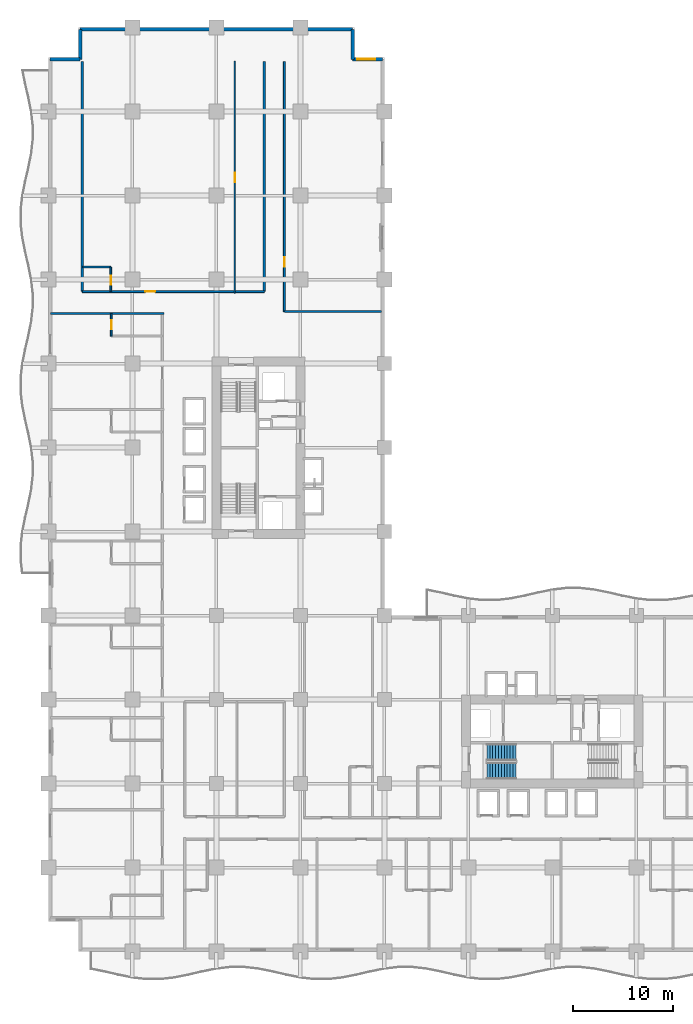
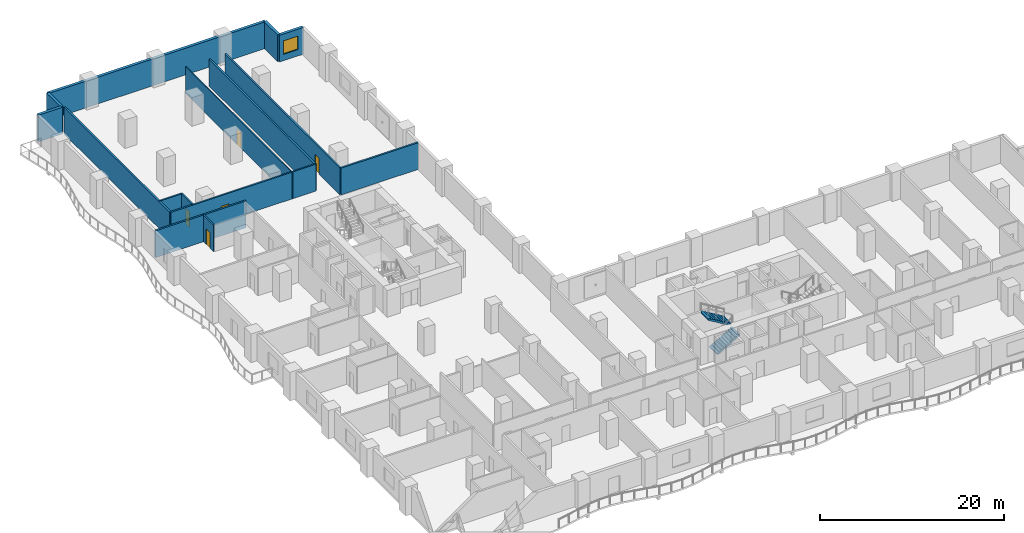
# One storey, part 13 of 22: 15 walls, 5 doors, 2 stair flights, 1 window, 6 openings, 1 element without a shape of its own.
"""IFC4 building model written with IfcOpenShell, lengths in metres."""

import ifcopenshell
import ifcopenshell.guid

model = None  # the IFC model being written
_history = None  # IfcOwnerHistory: only IFC2X3 demands one
_inside = {}  # id of a spatial element -> (the spatial element, [elements in it])
_under = {}  # id of a project, library or spatial element -> (it, [spatial elements below it])
_declared = {}  # id of a project -> (the project, [libraries it declares])
_typed = {}  # id of a type object -> (the type object, [elements of that type])
_made_of = {}  # id of a material, layer set ... -> (it, [elements and type objects made of it])


def new_model(schema):
    """Start an empty IFC model of exactly this schema.

    Asked for "IFC4X3", IfcOpenShell would pick the latest addendum, in which some entities
    have other attributes; the version numbers below select the first issue.
    IFC2X3 requires an IfcOwnerHistory on every rooted entity: one is made here for all.
    """
    global model, _history
    if schema == "IFC4X3":
        model = ifcopenshell.file(schema_version=(4, 3, 0, 0))
    else:
        model = ifcopenshell.file(schema=schema)
    _inside.clear()
    _under.clear()
    _declared.clear()
    _typed.clear()
    _made_of.clear()
    _history = None
    if model.schema == "IFC2X3":
        org = make("IfcOrganization", Name="unknown")
        user = make(
            "IfcPersonAndOrganization",
            ThePerson=make("IfcPerson", FamilyName="unknown"),
            TheOrganization=org,
        )
        app = make(
            "IfcApplication",
            ApplicationDeveloper=org,
            Version="unknown",
            ApplicationFullName="unknown",
            ApplicationIdentifier="unknown",
        )
        _history = make(
            "IfcOwnerHistory",
            OwningUser=user,
            OwningApplication=app,
            ChangeAction="ADDED",
            CreationDate=0,
        )
    return model


def make(cls, **values):
    """One entity of the class cls with the attributes given. An attribute that is None is left unset."""
    return model.create_entity(
        cls, **{name: value for name, value in values.items() if value is not None}
    )


def rooted(cls, **values):
    """An entity with a GlobalId (a new one), such as an element, a storey or a relation."""
    return make(cls, GlobalId=ifcopenshell.guid.new(), OwnerHistory=_history, **values)


def si_unit(unit_type, name, prefix=None):
    """IfcSIUnit, for example si_unit("LENGTHUNIT", "METRE", prefix="MILLI")."""
    return make("IfcSIUnit", UnitType=unit_type, Prefix=prefix, Name=name)


def assignment(units):
    """IfcUnitAssignment: the units of a project."""
    return None if units is None else make("IfcUnitAssignment", Units=units)


def point(xyz):
    """IfcCartesianPoint."""
    return None if xyz is None else make("IfcCartesianPoint", Coordinates=xyz)


def direction(xyz):
    """IfcDirection."""
    return None if xyz is None else make("IfcDirection", DirectionRatios=xyz)


def frame(location, z_axis=None, x_axis=None):
    """IfcAxis2Placement3D, a coordinate frame: its origin and axes. An axis left out is left unset."""
    return make(
        "IfcAxis2Placement3D",
        Location=point(location),
        Axis=direction(z_axis),
        RefDirection=direction(x_axis),
    )


def frame_2d(location, x_axis=None):
    """IfcAxis2Placement2D, a coordinate frame in the plane: its origin and x axis."""
    return make(
        "IfcAxis2Placement2D", Location=point(location), RefDirection=direction(x_axis)
    )


def origin():
    """The frame at (0, 0, 0) with its axes left unset."""
    return frame((0.0, 0.0, 0.0))


def place(relative_to, where):
    """IfcLocalPlacement: puts the frame where relative to a parent placement (None: the world)."""
    return make(
        "IfcLocalPlacement", PlacementRelTo=relative_to, RelativePlacement=where
    )


def context(
    kind, dimensions, precision=None, world=None, true_north=None, identifier=None
):
    """IfcGeometricRepresentationContext, for example the 3D "Model" context."""
    return make(
        "IfcGeometricRepresentationContext",
        ContextIdentifier=identifier,
        ContextType=kind,
        CoordinateSpaceDimension=dimensions,
        Precision=precision,
        WorldCoordinateSystem=world,
        TrueNorth=true_north,
    )


def subcontext(parent, identifier, kind, view, scale=None):
    """IfcGeometricRepresentationSubContext, for example "Body" below "Model"."""
    return make(
        "IfcGeometricRepresentationSubContext",
        ContextIdentifier=identifier,
        ContextType=kind,
        ParentContext=parent,
        TargetScale=scale,
        TargetView=view,
    )


def project(units=None, contexts=None):
    """IfcProject with its units and contexts."""
    return rooted(
        "IfcProject",
        Name="project",
        RepresentationContexts=contexts,
        UnitsInContext=assignment(units),
    )


def spatial(cls, under=None, at=None, **own):
    """A site, building, storey or space (cls), placed at a placement, below another one or the project."""
    s = rooted(cls, ObjectPlacement=at, **own)
    if under is not None:
        _under.setdefault(under.id(), (under, []))[1].append(s)
    return s


def polyline(points):
    """IfcPolyline through the points."""
    return make("IfcPolyline", Points=[point(p) for p in points])


def profile(cls, at=None, kind="AREA", **sizes):
    """A parametric profile (cls). Its sizes go by their IFC names, for example OverallWidth=200.0."""
    return make(cls, ProfileType=kind, Position=at, **sizes)


def rectangle(**sizes):
    """IfcRectangleProfileDef."""
    return profile("IfcRectangleProfileDef", **sizes)


def outline(outer, holes=None, kind="AREA"):
    """IfcArbitraryClosedProfileDef: a profile drawn as a closed curve; with holes, ...WithVoids."""
    if holes is None:
        return make("IfcArbitraryClosedProfileDef", ProfileType=kind, OuterCurve=outer)
    return make(
        "IfcArbitraryProfileDefWithVoids",
        ProfileType=kind,
        OuterCurve=outer,
        InnerCurves=holes,
    )


def extrude(swept, where, along, depth):
    """IfcExtrudedAreaSolid: the profile swept, set in the frame where, extruded along a direction by depth."""
    return make(
        "IfcExtrudedAreaSolid",
        SweptArea=swept,
        Position=where,
        ExtrudedDirection=direction(along),
        Depth=depth,
    )


def shape(context_of_items, identifier, shape_type, items):
    """IfcShapeRepresentation: the items that make up one representation, for example the "Body"."""
    return make(
        "IfcShapeRepresentation",
        ContextOfItems=context_of_items,
        RepresentationIdentifier=identifier,
        RepresentationType=shape_type,
        Items=items,
    )


def material(Name=None, Category=None):
    """IfcMaterial."""
    return make("IfcMaterial", Name=Name, Category=Category)


def layer(
    of_material, thickness, ventilated=None, Name=None, Category=None, Priority=None
):
    """IfcMaterialLayer: one layer of a wall or slab, of a material (None: an air gap)."""
    return make(
        "IfcMaterialLayer",
        Material=of_material,
        LayerThickness=thickness,
        IsVentilated=ventilated,
        Name=Name,
        Category=Category,
        Priority=Priority,
    )


def layer_set(layers, Name=None):
    """IfcMaterialLayerSet."""
    return make("IfcMaterialLayerSet", MaterialLayers=layers, LayerSetName=Name)


def made_of(thing, what):
    """Note that an element or type object is made of a material, layer set ...; save() writes the relation."""
    if what is not None:
        _made_of.setdefault(what.id(), (what, []))[1].append(thing)
    return thing


def type_object(cls, material=None, **own):
    """A type object (cls), such as IfcWallType, which elements share."""
    return made_of(rooted(cls, **own), material)


def element(
    cls,
    number,
    at=None,
    inside=None,
    cuts=None,
    type_object=None,
    material=None,
    context=None,
    identifier="Body",
    shape_type=None,
    held_by="IfcProductDefinitionShape",
    body=None,
    shapes=None,
    **own,
):
    """One element of the class cls, such as IfcWall. Its Tag is "e" and its number.

    at: its placement. inside: the storey or other place that contains it. cuts: it is an
    opening in that element (IfcRelVoidsElement). A single representation is given by context,
    identifier, shape_type and body (its items); several are given by shapes. held_by: the class
    of the entity that holds the representations. save() writes the other relations.
    """
    e = rooted(cls, Tag="e%d" % number, ObjectPlacement=at, **own)
    if body is not None:
        shapes = [shape(context, identifier, shape_type, body)]
    if shapes is not None:
        e.Representation = make(held_by, Representations=shapes)
    if inside is not None:
        _inside.setdefault(inside.id(), (inside, []))[1].append(e)
    if cuts is not None:
        rooted(
            "IfcRelVoidsElement", RelatingBuildingElement=cuts, RelatedOpeningElement=e
        )
    if type_object is not None:
        _typed.setdefault(type_object.id(), (type_object, []))[1].append(e)
    return made_of(e, material)


def fill(opening, filler):
    """IfcRelFillsElement: the door or window that sits in an opening."""
    return rooted(
        "IfcRelFillsElement",
        RelatingOpeningElement=opening,
        RelatedBuildingElement=filler,
    )


def aggregate(whole, parts):
    """IfcRelAggregates: a whole, such as a stair, and the parts it consists of."""
    return rooted("IfcRelAggregates", RelatingObject=whole, RelatedObjects=parts)


def save(model, path):
    """Write the relations noted so far, then the file.

    IfcRelAggregates (storeys below a building ...), IfcRelContainedInSpatialStructure (elements
    in a storey), IfcRelDefinesByType, IfcRelAssociatesMaterial and IfcRelDeclares: one each for
    every whole, place, type object, material and project.
    """
    for whole, parts in _under.values():
        aggregate(whole, parts)
    for where, things in _inside.values():
        rooted(
            "IfcRelContainedInSpatialStructure",
            RelatedElements=things,
            RelatingStructure=where,
        )
    for kind, things in _typed.values():
        rooted("IfcRelDefinesByType", RelatedObjects=things, RelatingType=kind)
    for what, things in _made_of.values():
        rooted("IfcRelAssociatesMaterial", RelatedObjects=things, RelatingMaterial=what)
    for by, libraries in _declared.values():
        rooted("IfcRelDeclares", RelatingContext=by, RelatedDefinitions=libraries)
    model.write(path)


model = new_model("IFC4")

# Units and contexts
model_context = context("Model", 3, precision=1e-05, world=origin(), true_north=direction((0.0, 1.0)))
body_context = subcontext(model_context, "Body", "Model", "MODEL_VIEW")
ifc_project = project(units=[si_unit("LENGTHUNIT", "METRE"), si_unit("AREAUNIT", "SQUARE_METRE"), si_unit("VOLUMEUNIT", "CUBIC_METRE"), si_unit("PLANEANGLEUNIT", "RADIAN"), si_unit("MASSUNIT", "GRAM", prefix="KILO")], contexts=[model_context])

# Site, building, storey
site_placement = place(None, origin())
site = spatial("IfcSite", under=ifc_project, at=site_placement, CompositionType="ELEMENT")
building_placement = place(site_placement, origin())
building = spatial("IfcBuilding", under=site, at=building_placement, Name="Koriwani Terraces Tower", CompositionType="ELEMENT")
storey_placement = place(building_placement, frame((0.0, 0.0, 43.39990234375)))
storey = spatial("IfcBuildingStorey", under=building, at=storey_placement, Name="L09", CompositionType="ELEMENT", Elevation=43.39990234375)

# Wall, opening, door
ifc_material_1 = material(Name="Autoclaved Cellular Concrete Blockwork", Category="masonry")
ifc_layer_1 = layer(ifc_material_1, 0.199951171875, Name="Autoclaved Cellular Concrete Blockwork")
ifc_layer_set_1 = layer_set([ifc_layer_1], Name="Autoclaved Cellular Concrete Blockwork")
wall_type_1 = type_object("IfcWallType", Name="WALL_CORRIDOR_200", PredefinedType="PARTITIONING", material=ifc_layer_set_1)
wall_1_placement = place(storey_placement, frame((3.39990234375, 66.0, 0.0), z_axis=(0.0, 0.0, 1.0), x_axis=(1.0, 0.0, 0.0)))
wall_1 = element("IfcWall", 1, at=wall_1_placement, inside=storey, type_object=wall_type_1, Name="L09 Interior Wall WGB-L09-NTIP-S", PredefinedType="PARTITIONING", context=body_context, shape_type="SweptSolid", body=[
    extrude(rectangle(XDim=18.2001953125, YDim=0.199951171875, at=frame_2d((9.10009765625, 0.0))), origin(), (0.0, 0.0, 1.0), 3.550048828125),
])
opening_1_placement = place(wall_1_placement, frame((6.300048828125, 0.0, 0.0)))
opening_1 = element("IfcOpeningElement", 2, at=opening_1_placement, cuts=wall_1, Name="Opening D-05", PredefinedType="OPENING", context=body_context, shape_type="SweptSolid", body=[
    extrude(rectangle(XDim=1.0, YDim=2.14990234375, at=frame_2d((0.5, 1.074951171875))), frame((0.0, 0.10986328125, 0.0), z_axis=(0.0, -1.0, 0.0), x_axis=(1.0, 0.0, 0.0)), (0.0, 0.0, 1.0), 0.219970703125),
])
ifc_material_2 = material(Name="Architectural Oak Fire Door", Category="wood")
door_type_1 = type_object("IfcDoorType", Name="DOOR_SUITE_ENTRY_1000X2150", OperationType="NOTDEFINED", PredefinedType="DOOR", material=ifc_material_2)
door_1_placement = place(opening_1_placement, origin())
door_1 = element("IfcDoor", 3, at=door_1_placement, inside=storey, type_object=door_type_1, Name="Presidential Wing Suite 09N Entrance Door", OperationType="SINGLE_SWING_LEFT", OverallHeight=2.14990234375, OverallWidth=1.0, PredefinedType="DOOR", context=body_context, shape_type="SweptSolid", body=[
    extrude(rectangle(XDim=1.0, YDim=2.14990234375, at=frame_2d((0.5, 1.074951171875))), frame((0.0, 0.02490234375, 0.0), z_axis=(0.0, -1.0, 0.0), x_axis=(1.0, 0.0, 0.0)), (0.0, 0.0, 1.0), 0.050048828125),
])
fill(opening_1, door_1)

wall_2_placement = place(storey_placement, frame((23.60009765625, 64.0, 0.0), z_axis=(0.0, 0.0, 1.0), x_axis=(0.0, 1.0, 0.0)))
wall_2 = element("IfcWall", 4, at=wall_2_placement, inside=storey, type_object=wall_type_1, Name="L09 Interior Wall WNTIP2-W-L09", PredefinedType="PARTITIONING", context=body_context, shape_type="SweptSolid", body=[
    extrude(rectangle(XDim=25.0, YDim=0.199951171875, at=frame_2d((12.5, 0.0))), origin(), (0.0, 0.0, 1.0), 3.550048828125),
])
opening_2_placement = place(wall_2_placement, frame((4.5, 0.0, 0.0)))
opening_2 = element("IfcOpeningElement", 5, at=opening_2_placement, cuts=wall_2, Name="Opening D-06", PredefinedType="OPENING", context=body_context, shape_type="SweptSolid", body=[
    extrude(rectangle(XDim=0.919921875, YDim=2.10009765625, at=frame_2d((0.4599609375, 1.050048828125))), frame((0.0, 0.10986328125, 0.0), z_axis=(0.0, -1.0, 0.0), x_axis=(1.0, 0.0, 0.0)), (0.0, 0.0, 1.0), 0.219970703125),
])
door_type_2 = type_object("IfcDoorType", Name="DOOR_ROOM_INT_920X2100", OperationType="NOTDEFINED", PredefinedType="DOOR", material=ifc_material_2)
door_2_placement = place(opening_2_placement, origin())
door_2 = element("IfcDoor", 6, at=door_2_placement, inside=storey, type_object=door_type_2, Name="L09 North Panorama Salon Door", OperationType="SINGLE_SWING_RIGHT", OverallHeight=2.10009765625, OverallWidth=0.919921875, PredefinedType="DOOR", context=body_context, shape_type="SweptSolid", body=[
    extrude(rectangle(XDim=0.919921875, YDim=2.10009765625, at=frame_2d((0.4599609375, 1.050048828125))), frame((0.0, 0.02490234375, 0.0), z_axis=(0.0, -1.0, 0.0), x_axis=(1.0, 0.0, 0.0)), (0.0, 0.0, 1.0), 0.050048828125),
])
fill(opening_2, door_2)

# Walls
ifc_layer_2 = layer(ifc_material_1, 0.219970703125, Name="Autoclaved Cellular Concrete Blockwork")
ifc_layer_set_2 = layer_set([ifc_layer_2], Name="Autoclaved Cellular Concrete Blockwork")
wall_type_2 = type_object("IfcWallType", Name="WALL_DEMISING_220", PredefinedType="PARTITIONING", material=ifc_layer_set_2)
wall_3_placement = place(storey_placement, frame((0.199951171875, 63.800048828125, 0.0), z_axis=(0.0, 0.0, 1.0), x_axis=(1.0, 0.0, 0.0)))
element("IfcWall", 7, at=wall_3_placement, inside=storey, type_object=wall_type_2, Name="L09 Interior Wall WDEME-L09-NW", PredefinedType="PARTITIONING", context=body_context, shape_type="SweptSolid", body=[
    extrude(rectangle(XDim=11.380126953125, YDim=0.219970703125, at=frame_2d((5.68994140625, 0.0))), origin(), (0.0, 0.0, 1.0), 3.550048828125),
])
for number, where, z_axis, x_axis, name in (
    (8, (21.60009765625, 66.0, 0.0), (0.0, 0.0, 1.0), (0.0, 1.0, 0.0), "L09 Interior Wall WGB-L09-NTIP-E"),
    (9, (3.39990234375, 66.0, 0.0), (0.0, 0.0, 1.0), (0.0, 1.0, 0.0), "L09 Interior Wall WGB-L09-NTIP-W"),
):
    element("IfcWall", number, at=place(storey_placement, frame(where, z_axis=z_axis, x_axis=x_axis)), inside=storey, type_object=wall_type_2, Name=name, PredefinedType="PARTITIONING", context=body_context, shape_type="SweptSolid", body=[
        extrude(rectangle(XDim=23.0, YDim=0.219970703125, at=frame_2d((11.5, 0.0))), origin(), (0.0, 0.0, 1.0), 3.550048828125),
    ])
wall_4_placement = place(storey_placement, frame((23.60009765625, 64.0, 0.0), z_axis=(0.0, 0.0, 1.0), x_axis=(1.0, 0.0, 0.0)))
element("IfcWall", 10, at=wall_4_placement, inside=storey, type_object=wall_type_2, Name="L09 Interior Wall WNTIP2-S-L09", PredefinedType="PARTITIONING", context=body_context, shape_type="SweptSolid", body=[
    extrude(rectangle(XDim=9.699951171875, YDim=0.219970703125, at=frame_2d((4.85009765625, 0.0))), origin(), (0.0, 0.0, 1.0), 3.550048828125),
])
ifc_material_3 = material(Name="Concrete C50/60", Category="concrete")
ifc_layer_3 = layer(ifc_material_3, 0.35009765625, Name="Concrete C50/60")
ifc_layer_set_3 = layer_set([ifc_layer_3], Name="Concrete C50/60")
wall_type_3 = type_object("IfcWallType", Name="WALL_EXT_BRUTALIST_350", PredefinedType="STANDARD", material=ifc_layer_set_3)
for number, where, z_axis, x_axis, name in (
    (11, (0.175048828125, 89.22509765625, 0.0), (0.0, 0.0, 1.0), (1.0, 0.0, 0.0), "L09 Fair-Faced Brutalist Exterior Wall (N3)"),
    (12, (3.175048828125, 89.22509765625, 0.0), (0.0, 0.0, 1.0), (0.0, 1.0, 0.0), "L09 Fair-Faced Brutalist Exterior Wall (N4)"),
):
    element("IfcWall", number, at=place(storey_placement, frame(where, z_axis=z_axis, x_axis=x_axis)), inside=storey, type_object=wall_type_3, Name=name, PredefinedType="STANDARD", context=body_context, shape_type="SweptSolid", body=[
        extrude(rectangle(XDim=3.0, YDim=0.35009765625, at=frame_2d((1.5, 0.0))), origin(), (0.0, 0.0, 1.0), 3.550048828125),
    ])
wall_5_placement = place(storey_placement, frame((3.175048828125, 92.22509765625, 0.0), z_axis=(0.0, 0.0, 1.0), x_axis=(1.0, 0.0, 0.0)))
element("IfcWall", 13, at=wall_5_placement, inside=storey, type_object=wall_type_3, Name="L09 Fair-Faced Brutalist Exterior Wall (N_TIP)", PredefinedType="STANDARD", context=body_context, shape_type="SweptSolid", body=[
    extrude(rectangle(XDim=27.25, YDim=0.35009765625, at=frame_2d((13.625, 0.0))), origin(), (0.0, 0.0, 1.0), 3.550048828125),
])
wall_6_placement = place(storey_placement, frame((30.425048828125, 92.22509765625, 0.0), z_axis=(0.0, 0.0, 1.0), x_axis=(0.0, -1.0, 0.0)))
element("IfcWall", 14, at=wall_6_placement, inside=storey, type_object=wall_type_3, Name="L09 Fair-Faced Brutalist Exterior Wall (N6)", PredefinedType="STANDARD", context=body_context, shape_type="SweptSolid", body=[
    extrude(rectangle(XDim=3.0, YDim=0.35009765625, at=frame_2d((1.5, 0.0))), origin(), (0.0, 0.0, 1.0), 3.550048828125),
])

# Wall, opening, window
wall_7_placement = place(storey_placement, frame((30.425048828125, 89.22509765625, 0.0), z_axis=(0.0, 0.0, 1.0), x_axis=(1.0, 0.0, 0.0)))
wall_7 = element("IfcWall", 15, at=wall_7_placement, inside=storey, type_object=wall_type_3, Name="L09 Fair-Faced Brutalist Exterior Wall (N7)", PredefinedType="STANDARD", context=body_context, shape_type="SweptSolid", body=[
    extrude(rectangle(XDim=3.0, YDim=0.35009765625, at=frame_2d((1.5, 0.0))), origin(), (0.0, 0.0, 1.0), 3.550048828125),
])
opening_3_placement = place(wall_7_placement, frame((0.487548828125, 0.0, 0.85009765625)))
opening_3 = element("IfcOpeningElement", 16, at=opening_3_placement, cuts=wall_7, Name="Opening W-04", PredefinedType="OPENING", context=body_context, shape_type="SweptSolid", body=[
    extrude(rectangle(XDim=1.800048828125, YDim=1.800048828125, at=frame_2d((0.89990234375, 0.89990234375))), frame((0.0, 0.18505859375, 0.0), z_axis=(0.0, -1.0, 0.0), x_axis=(1.0, 0.0, 0.0)), (0.0, 0.0, 1.0), 0.3701171875),
])
ifc_material_4 = material(Name="Tempered Laminated Low-E Glass", Category="glass")
window_type = type_object("IfcWindowType", Name="WIN_RES_BED_1800X1800", PartitioningType="DOUBLE_PANEL_VERTICAL", PredefinedType="WINDOW", material=ifc_material_4)
window_placement = place(opening_3_placement, origin())
window = element("IfcWindow", 17, at=window_placement, inside=storey, type_object=window_type, Name="L09 Exterior Window (N7-R62)", OverallHeight=1.800048828125, OverallWidth=1.800048828125, PartitioningType="SINGLE_PANEL", PredefinedType="WINDOW", context=body_context, shape_type="SweptSolid", body=[
    extrude(rectangle(XDim=1.800048828125, YDim=1.800048828125, at=frame_2d((0.89990234375, 0.89990234375))), frame((0.0, 0.030029296875, 0.0), z_axis=(0.0, -1.0, 0.0), x_axis=(1.0, 0.0, 0.0)), (0.0, 0.0, 1.0), 0.06005859375),
])
fill(opening_3, window)

# Wall, opening, door
ifc_material_5 = material(Name="Fire-Rated Acoustic Gypsum Partition", Category="masonry")
ifc_layer_4 = layer(ifc_material_5, 0.125, Name="Fire-Rated Acoustic Gypsum Partition")
ifc_layer_set_4 = layer_set([ifc_layer_4], Name="Fire-Rated Acoustic Gypsum Partition")
wall_type_4 = type_object("IfcWallType", Name="WALL_INT_125", PredefinedType="PARTITIONING", material=ifc_layer_set_4)
wall_8_placement = place(storey_placement, frame((18.64990234375, 65.85009765625, 0.0), z_axis=(0.0, 0.0, 1.0), x_axis=(0.0, 1.0, 0.0)))
wall_8 = element("IfcWall", 18, at=wall_8_placement, inside=storey, type_object=wall_type_4, Name="L09 Interior Wall WGB-L09-NTIP-BD", PredefinedType="PARTITIONING", context=body_context, shape_type="SweptSolid", body=[
    extrude(rectangle(XDim=23.199951171875, YDim=0.125, at=frame_2d((11.60009765625, 0.0))), origin(), (0.0, 0.0, 1.0), 3.550048828125),
])
opening_4_placement = place(wall_8_placement, frame((11.10009765625, 0.0, 0.0)))
opening_4 = element("IfcOpeningElement", 19, at=opening_4_placement, cuts=wall_8, Name="Opening D-06", PredefinedType="OPENING", context=body_context, shape_type="SweptSolid", body=[
    extrude(rectangle(XDim=0.919921875, YDim=2.10009765625, at=frame_2d((0.4599609375, 1.050048828125))), frame((0.0, 0.072509765625, 0.0), z_axis=(0.0, -1.0, 0.0), x_axis=(1.0, 0.0, 0.0)), (0.0, 0.0, 1.0), 0.14501953125),
])
door_3_placement = place(opening_4_placement, origin())
door_3 = element("IfcDoor", 20, at=door_3_placement, inside=storey, type_object=door_type_2, Name="Presidential Wing Suite 09N Master Suite Door", OperationType="SINGLE_SWING_LEFT", OverallHeight=2.10009765625, OverallWidth=0.919921875, PredefinedType="DOOR", context=body_context, shape_type="SweptSolid", body=[
    extrude(rectangle(XDim=0.919921875, YDim=2.10009765625, at=frame_2d((0.4599609375, 1.050048828125))), frame((0.0, 0.02490234375, 0.0), z_axis=(0.0, -1.0, 0.0), x_axis=(1.0, 0.0, 0.0)), (0.0, 0.0, 1.0), 0.050048828125),
])
fill(opening_4, door_3)

ifc_layer_5 = layer(ifc_material_5, 0.179931640625, Name="Fire-Rated Acoustic Gypsum Partition")
ifc_layer_set_5 = layer_set([ifc_layer_5], Name="Fire-Rated Acoustic Gypsum Partition")
wall_type_5 = type_object("IfcWallType", Name="WALL_PLUMBING_180", PredefinedType="PLUMBINGWALL", material=ifc_layer_set_5)
wall_9_placement = place(storey_placement, frame((6.300048828125, 61.550048828125, 0.0), z_axis=(0.0, 0.0, 1.0), x_axis=(0.0, 1.0, 0.0)))
wall_9 = element("IfcWall", 21, at=wall_9_placement, inside=storey, type_object=wall_type_5, Name="L09 Interior Wall WBTH1-L09-NW-5", PredefinedType="PLUMBINGWALL", context=body_context, shape_type="SweptSolid", body=[
    extrude(rectangle(XDim=2.25, YDim=0.179931640625, at=frame_2d((1.125, 0.0))), origin(), (0.0, 0.0, 1.0), 3.550048828125),
])
opening_5_placement = place(wall_9_placement, frame((0.675048828125, 0.0, 0.0)))
opening_5 = element("IfcOpeningElement", 22, at=opening_5_placement, cuts=wall_9, Name="Opening D-07", PredefinedType="OPENING", context=body_context, shape_type="SweptSolid", body=[
    extrude(rectangle(XDim=0.89990234375, YDim=2.10009765625, at=frame_2d((0.449951171875, 1.050048828125))), frame((0.0, 0.10009765625, 0.0), z_axis=(0.0, -1.0, 0.0), x_axis=(1.0, 0.0, 0.0)), (0.0, 0.0, 1.0), 0.199951171875),
])
door_type_3 = type_object("IfcDoorType", Name="DOOR_BATH_INT_900X2100", OperationType="NOTDEFINED", PredefinedType="DOOR", material=ifc_material_2)
door_4_placement = place(opening_5_placement, origin())
door_4 = element("IfcDoor", 23, at=door_4_placement, inside=storey, type_object=door_type_3, Name="En-Suite Bathroom 09NW6 Door", OperationType="SINGLE_SWING_RIGHT", OverallHeight=2.10009765625, OverallWidth=0.89990234375, PredefinedType="DOOR", context=body_context, shape_type="SweptSolid", body=[
    extrude(rectangle(XDim=0.89990234375, YDim=2.10009765625, at=frame_2d((0.449951171875, 1.050048828125))), frame((0.0, 0.02490234375, 0.0), z_axis=(0.0, -1.0, 0.0), x_axis=(1.0, 0.0, 0.0)), (0.0, 0.0, 1.0), 0.050048828125),
])
fill(opening_5, door_4)

wall_10_placement = place(storey_placement, frame((6.25, 66.050048828125, 0.0), z_axis=(0.0, 0.0, 1.0), x_axis=(0.0, 1.0, 0.0)))
wall_10 = element("IfcWall", 24, at=wall_10_placement, inside=storey, type_object=wall_type_5, Name="L09 Interior Wall WGB-L09-NTIP-SVB", PredefinedType="PLUMBINGWALL", context=body_context, shape_type="SweptSolid", body=[
    extrude(rectangle(XDim=2.39990234375, YDim=0.179931640625, at=frame_2d((1.199951171875, 0.0))), origin(), (0.0, 0.0, 1.0), 3.550048828125),
])
opening_6_placement = place(wall_10_placement, frame((0.64990234375, 0.0, 0.0)))
opening_6 = element("IfcOpeningElement", 25, at=opening_6_placement, cuts=wall_10, Name="Opening D-07", PredefinedType="OPENING", context=body_context, shape_type="SweptSolid", body=[
    extrude(rectangle(XDim=0.89990234375, YDim=2.10009765625, at=frame_2d((0.449951171875, 1.050048828125))), frame((0.0, 0.10009765625, 0.0), z_axis=(0.0, -1.0, 0.0), x_axis=(1.0, 0.0, 0.0)), (0.0, 0.0, 1.0), 0.199951171875),
])
door_5_placement = place(opening_6_placement, origin())
door_5 = element("IfcDoor", 26, at=door_5_placement, inside=storey, type_object=door_type_3, Name="Presidential Wing Suite 09N Bathroom Door", OperationType="SINGLE_SWING_RIGHT", OverallHeight=2.10009765625, OverallWidth=0.89990234375, PredefinedType="DOOR", context=body_context, shape_type="SweptSolid", body=[
    extrude(rectangle(XDim=0.89990234375, YDim=2.10009765625, at=frame_2d((0.449951171875, 1.050048828125))), frame((0.0, 0.02490234375, 0.0), z_axis=(0.0, -1.0, 0.0), x_axis=(1.0, 0.0, 0.0)), (0.0, 0.0, 1.0), 0.050048828125),
])
fill(opening_6, door_5)

# Wall
wall_11_placement = place(storey_placement, frame((3.449951171875, 68.449951171875, 0.0), z_axis=(0.0, 0.0, 1.0), x_axis=(1.0, 0.0, 0.0)))
element("IfcWall", 27, at=wall_11_placement, inside=storey, type_object=wall_type_5, Name="L09 Interior Wall WGB-L09-NTIP-SV2", PredefinedType="PLUMBINGWALL", context=body_context, shape_type="SweptSolid", body=[
    extrude(rectangle(XDim=2.800048828125, YDim=0.179931640625, at=frame_2d((1.39990234375, 0.0))), origin(), (0.0, 0.0, 1.0), 3.550048828125),
])

# Stair, stair flights
ifc_material_6 = material(Name="Concrete C40/50", Category="concrete")
stair_type = type_object("IfcStairType", Name="STAIR_CORE_DOGLEG_1650", PredefinedType="TWO_STRAIGHT_RUN_STAIR", material=ifc_material_6)
stair_placement = place(storey_placement, origin())
stair = element("IfcStair", 28, at=stair_placement, inside=storey, type_object=stair_type, Name="L09 East Core Exit Stair 1", PredefinedType="HALF_TURN_STAIR")
stair_flight_type = type_object("IfcStairFlightType", Name="STAIR_FLIGHT_RC_1650", PredefinedType="STRAIGHT", material=ifc_material_6)
stair_flight_1_placement = place(storey_placement, frame((43.85009765625, 18.074951171875, 0.0), z_axis=(0.0, 0.0, 1.0), x_axis=(1.0, 0.0, 0.0)))
stair_flight_1 = element("IfcStairFlight", 29, at=stair_flight_1_placement, type_object=stair_flight_type, Name="ST-E1 flight 1", NumberOfRisers=11, NumberOfTreads=10, PredefinedType="STRAIGHT", RiserHeight=0.172727273, TreadLength=0.29, context=body_context, shape_type="SweptSolid", body=[
    extrude(outline(polyline([(0.0, 0.0), (0.0, 0.172607421875), (0.2900390625, 0.172607421875), (0.2900390625, 0.345458984375), (0.580078125, 0.345458984375), (0.580078125, 0.51806640625), (0.8701171875, 0.51806640625), (0.8701171875, 0.69091796875), (1.159912109375, 0.69091796875), (1.159912109375, 0.863525390625), (1.449951171875, 0.863525390625), (1.449951171875, 1.036376953125), (1.739990234375, 1.036376953125), (1.739990234375, 1.208984375), (2.030029296875, 1.208984375), (2.030029296875, 1.3818359375), (2.320068359375, 1.3818359375), (2.320068359375, 1.554443359375), (2.610107421875, 1.554443359375), (2.610107421875, 1.727294921875), (2.89990234375, 1.727294921875), (2.89990234375, 1.89990234375), (2.89990234375, 1.517822265625), (0.3515625, 0.0), (0.0, 0.0)])), frame((0.0, 0.824951171875, 0.0), z_axis=(0.0, -1.0, 0.0), x_axis=(1.0, 0.0, 0.0)), (0.0, 0.0, 1.0), 1.64990234375),
])
stair_flight_2_placement = place(storey_placement, frame((46.75, 19.925048828125, 1.900146484375), z_axis=(0.0, 0.0, 1.0), x_axis=(-1.0, 0.0, 0.0)))
stair_flight_2 = element("IfcStairFlight", 30, at=stair_flight_2_placement, type_object=stair_flight_type, Name="ST-E1 flight 2", NumberOfRisers=11, NumberOfTreads=10, PredefinedType="STRAIGHT", RiserHeight=0.172727273, TreadLength=0.29, context=body_context, shape_type="SweptSolid", body=[
    extrude(outline(polyline([(0.0, 0.0), (0.0, 0.172607421875), (0.2900390625, 0.172607421875), (0.2900390625, 0.345458984375), (0.580078125, 0.345458984375), (0.580078125, 0.51806640625), (0.8701171875, 0.51806640625), (0.8701171875, 0.69091796875), (1.159912109375, 0.69091796875), (1.159912109375, 0.863525390625), (1.449951171875, 0.863525390625), (1.449951171875, 1.036376953125), (1.739990234375, 1.036376953125), (1.739990234375, 1.208984375), (2.030029296875, 1.208984375), (2.030029296875, 1.3818359375), (2.320068359375, 1.3818359375), (2.320068359375, 1.554443359375), (2.610107421875, 1.554443359375), (2.610107421875, 1.727294921875), (2.89990234375, 1.727294921875), (2.89990234375, 1.89990234375), (2.89990234375, 1.517822265625), (0.3515625, 0.0), (0.0, 0.0)])), frame((0.0, 0.824951171875, 0.0), z_axis=(0.0, -1.0, 0.0), x_axis=(1.0, 0.0, 0.0)), (0.0, 0.0, 1.0), 1.64990234375),
])
aggregate(stair, [stair_flight_1, stair_flight_2])

save(model, "model.ifc")
